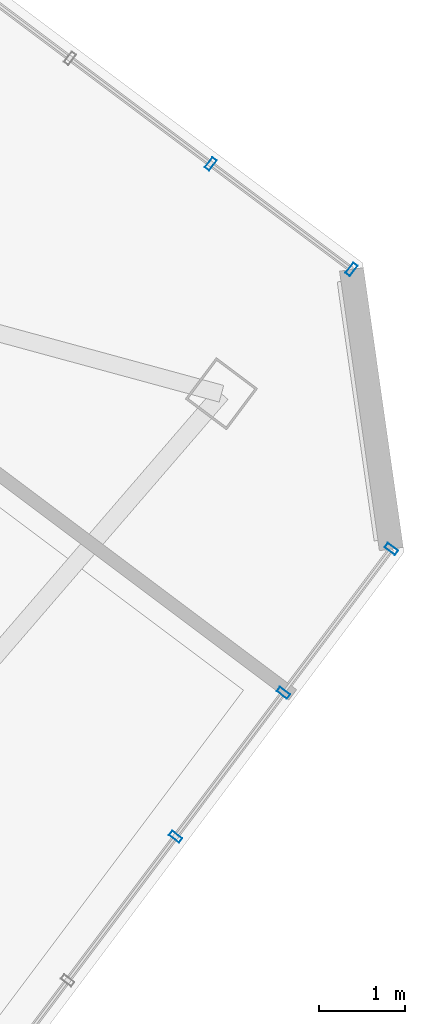
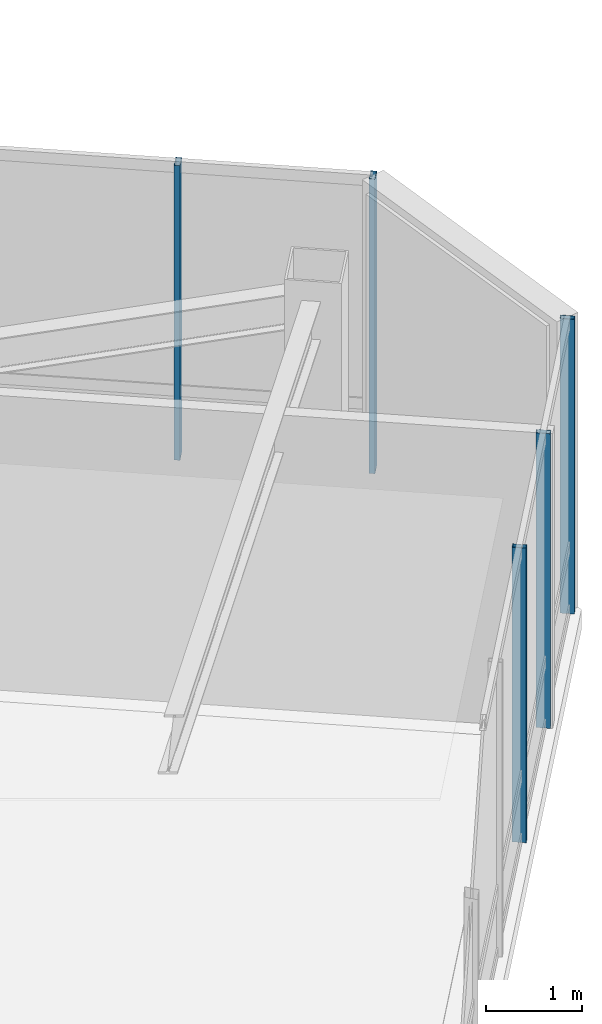
# One storey, part 21 of 31: 5 members, 2 elements without a shape of their own.
"""IFC4 building model written with IfcOpenShell, lengths in metres."""

from ifc_helpers import new_model, si_unit, direction, frame, origin, origin_2d, place, context, subcontext, project, spatial, hollow_rectangle, extrude, material, layer, layer_set, material_profile, profile_set, type_object, element, aggregate, save


model = new_model("IFC4")

# Units and contexts
model_context = context("Model", 3, precision=1e-05, world=origin(), true_north=direction((0.0, 1.0)))
body_context = subcontext(model_context, "Body", "Model", "MODEL_VIEW")
ifc_project = project(units=[si_unit("LENGTHUNIT", "METRE"), si_unit("AREAUNIT", "SQUARE_METRE"), si_unit("VOLUMEUNIT", "CUBIC_METRE"), si_unit("PLANEANGLEUNIT", "RADIAN"), si_unit("MASSUNIT", "GRAM", prefix="KILO")], contexts=[model_context])

# Site, building, storey
site_placement = place(None, origin())
site = spatial("IfcSite", under=ifc_project, at=site_placement, CompositionType="ELEMENT")
building_placement = place(site_placement, origin())
building = spatial("IfcBuilding", under=site, at=building_placement, Name="Hatsunagi Terrace Concourse", CompositionType="ELEMENT")
storey_placement = place(building_placement, frame((0.0, 0.0, 269.949951171875)))
storey = spatial("IfcBuildingStorey", under=building, at=storey_placement, Name="L71", CompositionType="ELEMENT", Elevation=269.949951171875)

# Curtain wall, members
ifc_material_1 = material(Name="Anodised Aluminium Alloy 6063-T5", Category="aluminium")
ifc_layer = layer(ifc_material_1, 0.199951171875)
ifc_layer_set = layer_set([ifc_layer], Name="CrownWintergarden_CW06")
curtain_wall_type = type_object("IfcCurtainWallType", Name="CrownWintergarden_CW06", PredefinedType="NOTDEFINED", material=ifc_layer_set)
curtain_wall_1_placement = place(storey_placement, origin())
curtain_wall_1 = element("IfcCurtainWall", 1, at=curtain_wall_1_placement, inside=storey, type_object=curtain_wall_type, Name="Unitised Curtain Wall CW-06 CW-L71-01", PredefinedType="NOTDEFINED")
ifc_material_2 = material(Name="Anodised Aluminium Alloy 6063-T5", Category="aluminium")
ifc_material_profile = material_profile(ifc_material_2, hollow_rectangle(XDim=0.06494140625, YDim=0.14990234375, WallThickness=0.00390625, at=origin_2d()), Name="ALU-MUL-150x65x4")
ifc_profile_set = profile_set([ifc_material_profile], Name="Anodised Aluminium Alloy 6063-T5")
member_type = type_object("IfcMemberType", Name="CurtainWallMullion_Crown_150x65", PredefinedType="MULLION", material=ifc_profile_set)
member_1_placement = place(storey_placement, frame((51.39599609375, 35.827880859375, 0.0), z_axis=(0.0, 0.0, 1.0), x_axis=(0.800023013105, -0.599969314634, 0.0)))
member_1 = element("IfcMember", 2, at=member_1_placement, type_object=member_type, Name="Curtain Wall Mullion MUL-03", PredefinedType="MULLION", context=body_context, shape_type="SweptSolid", body=[
    extrude(hollow_rectangle(XDim=0.06494140625, YDim=0.14990234375, WallThickness=0.00390625, at=origin_2d()), origin(), (0.0, 0.0, 1.0), 3.739990234375),
])
member_2_placement = place(storey_placement, frame((53.030029296875, 34.60302734375, 0.0), z_axis=(0.0, 0.0, 1.0), x_axis=(0.800023013105, -0.599969314634, 0.0)))
member_2 = element("IfcMember", 3, at=member_2_placement, type_object=member_type, Name="Curtain Wall Mullion MUL-03", PredefinedType="MULLION", context=body_context, shape_type="SweptSolid", body=[
    extrude(hollow_rectangle(XDim=0.06494140625, YDim=0.14990234375, WallThickness=0.00390625, at=origin_2d()), origin(), (0.0, 0.0, 1.0), 3.739990234375),
])
aggregate(curtain_wall_1, [member_1, member_2])

curtain_wall_2_placement = place(storey_placement, origin())
curtain_wall_2 = element("IfcCurtainWall", 4, at=curtain_wall_2_placement, inside=storey, type_object=curtain_wall_type, Name="Unitised Curtain Wall CW-06 CW-L71-03", PredefinedType="NOTDEFINED")
member_3_placement = place(storey_placement, frame((53.492919921875, 31.35791015625, 0.0), z_axis=(0.0, 0.0, 1.0), x_axis=(-0.599969314634, -0.800023013105, 0.0)))
member_3 = element("IfcMember", 5, at=member_3_placement, type_object=member_type, Name="Curtain Wall Mullion MUL-03", PredefinedType="MULLION", context=body_context, shape_type="SweptSolid", body=[
    extrude(hollow_rectangle(XDim=0.06494140625, YDim=0.14990234375, WallThickness=0.00390625, at=origin_2d()), origin(), (0.0, 0.0, 1.0), 3.739990234375),
])
member_4_placement = place(storey_placement, frame((52.239990234375, 29.68701171875, 0.0), z_axis=(0.0, 0.0, 1.0), x_axis=(-0.599969314634, -0.800023013105, 0.0)))
member_4 = element("IfcMember", 6, at=member_4_placement, type_object=member_type, Name="Curtain Wall Mullion MUL-03", PredefinedType="MULLION", context=body_context, shape_type="SweptSolid", body=[
    extrude(hollow_rectangle(XDim=0.06494140625, YDim=0.14990234375, WallThickness=0.00390625, at=origin_2d()), origin(), (0.0, 0.0, 1.0), 3.739990234375),
])
member_5_placement = place(storey_placement, frame((50.987060546875, 28.01611328125, 0.0), z_axis=(0.0, 0.0, 1.0), x_axis=(-0.599969314634, -0.800023013105, 0.0)))
member_5 = element("IfcMember", 7, at=member_5_placement, type_object=member_type, Name="Curtain Wall Mullion MUL-03", PredefinedType="MULLION", context=body_context, shape_type="SweptSolid", body=[
    extrude(hollow_rectangle(XDim=0.06494140625, YDim=0.14990234375, WallThickness=0.00390625, at=origin_2d()), origin(), (0.0, 0.0, 1.0), 3.739990234375),
])
aggregate(curtain_wall_2, [member_3, member_4, member_5])

save(model, "model.ifc")
